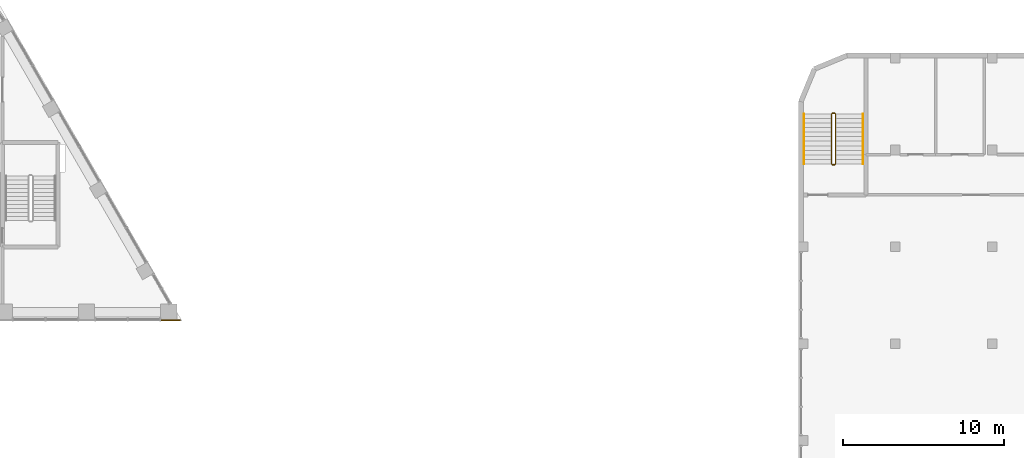
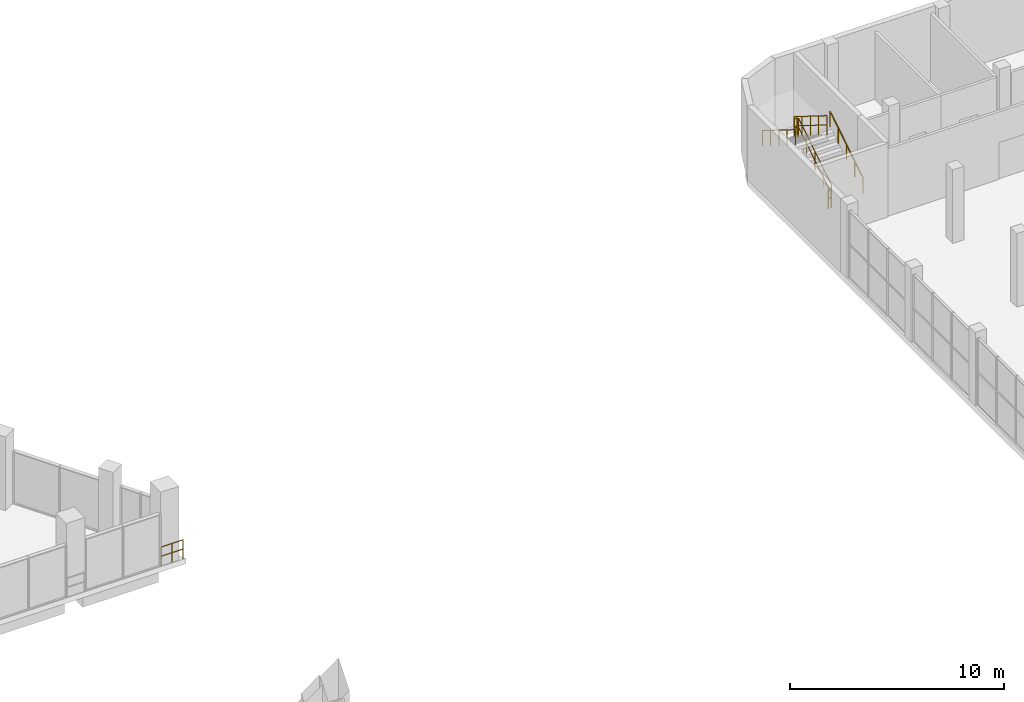
# One storey, part 41 of 45: 7 railings.
"""IFC4 building model written with IfcOpenShell, lengths in metres."""

from ifc_helpers import new_model, si_unit, direction, frame, origin, origin_2d, place, context, subcontext, project, spatial, circle, extrude, material, type_object, element, save


model = new_model("IFC4")

# Units and contexts
model_context = context("Model", 3, precision=1e-05, world=origin(), true_north=direction((0.0, 1.0)))
body_context = subcontext(model_context, "Body", "Model", "MODEL_VIEW")
ifc_project = project(units=[si_unit("LENGTHUNIT", "METRE"), si_unit("AREAUNIT", "SQUARE_METRE"), si_unit("VOLUMEUNIT", "CUBIC_METRE"), si_unit("PLANEANGLEUNIT", "RADIAN"), si_unit("MASSUNIT", "GRAM", prefix="KILO")], contexts=[model_context])

# Site, building, storey
site_placement = place(None, origin())
site = spatial("IfcSite", under=ifc_project, at=site_placement, CompositionType="ELEMENT")
building_placement = place(site_placement, origin())
building = spatial("IfcBuilding", under=site, at=building_placement, Name="Nakaniwa Court", CompositionType="ELEMENT")
storey_placement = place(building_placement, frame((0.0, 0.0, 11.39990234375)))
storey = spatial("IfcBuildingStorey", under=building, at=storey_placement, Name="L02", CompositionType="ELEMENT", Elevation=11.39990234375)

# Railings
ifc_material_1 = material(Name="Black powder-coated steel flat bar balustrade S275", Category="steel")
railing_type_1 = type_object("IfcRailingType", Name="Hall guard 1100", PredefinedType="GUARDRAIL", material=ifc_material_1)
railing_1_placement = place(storey_placement, frame((154.300048828125, 97.139892578125, 0.175048828125)))
element("IfcRailing", 1, at=railing_1_placement, inside=storey, type_object=railing_type_1, Name="L02 ST-H2 stair guard 1", PredefinedType="GUARDRAIL", context=body_context, shape_type="SweptSolid", body=[
    extrude(circle(Radius=0.02392578125, at=origin_2d()), frame((0.0, 0.0, 1.076171875), z_axis=(0.0, 0.847998304005, 0.529998940003), x_axis=(-1.0, 0.0, 0.0)), (0.0, 0.0, 1.0), 3.632080078125),
    extrude(circle(Radius=0.02392578125, at=origin_2d()), frame((0.0, 0.0, 0.550048828125), z_axis=(0.0, 0.847998304005, 0.529998940003), x_axis=(-1.0, 0.0, 0.0)), (0.0, 0.0, 1.0), 3.632080078125),
    extrude(circle(Radius=0.02099609375, at=origin_2d()), origin(), (0.0, 0.0, 1.0), 1.052001953125),
    extrude(circle(Radius=0.02099609375, at=origin_2d()), frame((0.0, 0.77001953125, 0.481201171875)), (0.0, 0.0, 1.0), 1.052001953125),
    extrude(circle(Radius=0.02099609375, at=origin_2d()), frame((0.0, 1.5400390625, 0.96240234375)), (0.0, 0.0, 1.0), 1.052001953125),
    extrude(circle(Radius=0.02099609375, at=origin_2d()), frame((0.0, 2.31005859375, 1.44384765625)), (0.0, 0.0, 1.0), 1.052001953125),
    extrude(circle(Radius=0.02099609375, at=origin_2d()), frame((0.0, 3.080078125, 1.925048828125)), (0.0, 0.0, 1.0), 1.052001953125),
])
railing_2_placement = place(storey_placement, frame((154.25, 100.27001953125, 2.10009765625)))
element("IfcRailing", 2, at=railing_2_placement, inside=storey, type_object=railing_type_1, Name="L02 ST-H2 stair guard 2", PredefinedType="GUARDRAIL", context=body_context, shape_type="SweptSolid", body=[
    extrude(circle(Radius=0.02392578125, at=origin_2d()), frame((0.0, 0.0, 1.076171875), z_axis=(-1.0, 0.0, 0.0), x_axis=(0.0, -1.0, 0.0)), (0.0, 0.0, 1.0), 0.14990234375),
    extrude(circle(Radius=0.02392578125, at=origin_2d()), frame((0.0, 0.0, 0.550048828125), z_axis=(-1.0, 0.0, 0.0), x_axis=(0.0, -1.0, 0.0)), (0.0, 0.0, 1.0), 0.14990234375),
    extrude(circle(Radius=0.02099609375, at=origin_2d()), origin(), (0.0, 0.0, 1.0), 1.052001953125),
    extrude(circle(Radius=0.02099609375, at=origin_2d()), frame((-0.14990234375, 0.0, 0.0)), (0.0, 0.0, 1.0), 1.052001953125),
])
railing_3_placement = place(storey_placement, frame((154.050048828125, 100.219970703125, 2.275146484375)))
element("IfcRailing", 3, at=railing_3_placement, inside=storey, type_object=railing_type_1, Name="L02 ST-H2 stair guard 3", PredefinedType="GUARDRAIL", context=body_context, shape_type="SweptSolid", body=[
    extrude(circle(Radius=0.02392578125, at=origin_2d()), frame((0.0, 0.0, 1.076171875), z_axis=(0.0, -0.847998304005, 0.529998940003), x_axis=(1.0, 0.0, 0.0)), (0.0, 0.0, 1.0), 3.632080078125),
    extrude(circle(Radius=0.02392578125, at=origin_2d()), frame((0.0, 0.0, 0.550048828125), z_axis=(0.0, -0.847998304005, 0.529998940003), x_axis=(1.0, 0.0, 0.0)), (0.0, 0.0, 1.0), 3.632080078125),
    extrude(circle(Radius=0.02099609375, at=origin_2d()), origin(), (0.0, 0.0, 1.0), 1.052001953125),
    extrude(circle(Radius=0.02099609375, at=origin_2d()), frame((0.0, -0.77001953125, 0.481201171875)), (0.0, 0.0, 1.0), 1.052001953125),
    extrude(circle(Radius=0.02099609375, at=origin_2d()), frame((0.0, -1.5400390625, 0.96240234375)), (0.0, 0.0, 1.0), 1.052001953125),
    extrude(circle(Radius=0.02099609375, at=origin_2d()), frame((0.0, -2.31005859375, 1.44384765625)), (0.0, 0.0, 1.0), 1.052001953125),
    extrude(circle(Radius=0.02099609375, at=origin_2d()), frame((0.0, -3.080078125, 1.925048828125)), (0.0, 0.0, 1.0), 1.052001953125),
])
railing_4_placement = place(storey_placement, frame((154.25, 97.090087890625, 0.0)))
element("IfcRailing", 4, at=railing_4_placement, inside=storey, type_object=railing_type_1, Name="L02 ST-H2 stair guard 4", PredefinedType="GUARDRAIL", context=body_context, shape_type="SweptSolid", body=[
    extrude(circle(Radius=0.02392578125, at=origin_2d()), frame((0.0, 0.0, 1.076171875), z_axis=(-1.0, 0.0, 0.0), x_axis=(0.0, -1.0, 0.0)), (0.0, 0.0, 1.0), 0.14990234375),
    extrude(circle(Radius=0.02392578125, at=origin_2d()), frame((0.0, 0.0, 0.550048828125), z_axis=(-1.0, 0.0, 0.0), x_axis=(0.0, -1.0, 0.0)), (0.0, 0.0, 1.0), 0.14990234375),
    extrude(circle(Radius=0.02099609375, at=origin_2d()), origin(), (0.0, 0.0, 1.0), 1.052001953125),
    extrude(circle(Radius=0.02099609375, at=origin_2d()), frame((-0.14990234375, 0.0, 0.0)), (0.0, 0.0, 1.0), 1.052001953125),
])
ifc_material_2 = material(Name="Brushed stainless steel handrail Grade 304", Category="steel")
railing_type_2 = type_object("IfcRailingType", Name="Hall stair handrail 900", PredefinedType="HANDRAIL", material=ifc_material_2)
railing_5_placement = place(storey_placement, frame((156.0, 97.139892578125, 0.175048828125)))
element("IfcRailing", 5, at=railing_5_placement, inside=storey, type_object=railing_type_2, Name="L02 ST-H2 stair handrail 1", PredefinedType="HANDRAIL", context=body_context, shape_type="SweptSolid", body=[
    extrude(circle(Radius=0.02392578125, at=origin_2d()), frame((0.0, 0.0, 0.8759765625), z_axis=(0.0, 0.847998304005, 0.529998940003), x_axis=(-1.0, 0.0, 0.0)), (0.0, 0.0, 1.0), 3.632080078125),
    extrude(circle(Radius=0.02099609375, at=origin_2d()), origin(), (0.0, 0.0, 1.0), 0.851806640625),
    extrude(circle(Radius=0.02099609375, at=origin_2d()), frame((0.0, 0.77001953125, 0.481201171875)), (0.0, 0.0, 1.0), 0.851806640625),
    extrude(circle(Radius=0.02099609375, at=origin_2d()), frame((0.0, 1.5400390625, 0.96240234375)), (0.0, 0.0, 1.0), 0.851806640625),
    extrude(circle(Radius=0.02099609375, at=origin_2d()), frame((0.0, 2.31005859375, 1.44384765625)), (0.0, 0.0, 1.0), 0.851806640625),
    extrude(circle(Radius=0.02099609375, at=origin_2d()), frame((0.0, 3.080078125, 1.925048828125)), (0.0, 0.0, 1.0), 0.851806640625),
])
railing_6_placement = place(storey_placement, frame((152.35009765625, 100.219970703125, 2.275146484375)))
element("IfcRailing", 6, at=railing_6_placement, inside=storey, type_object=railing_type_2, Name="L02 ST-H2 stair handrail 2", PredefinedType="HANDRAIL", context=body_context, shape_type="SweptSolid", body=[
    extrude(circle(Radius=0.02392578125, at=origin_2d()), frame((0.0, 0.0, 0.8759765625), z_axis=(0.0, -0.847998304005, 0.529998940003), x_axis=(1.0, 0.0, 0.0)), (0.0, 0.0, 1.0), 3.632080078125),
    extrude(circle(Radius=0.02099609375, at=origin_2d()), origin(), (0.0, 0.0, 1.0), 0.851806640625),
    extrude(circle(Radius=0.02099609375, at=origin_2d()), frame((0.0, -0.77001953125, 0.481201171875)), (0.0, 0.0, 1.0), 0.851806640625),
    extrude(circle(Radius=0.02099609375, at=origin_2d()), frame((0.0, -1.5400390625, 0.96240234375)), (0.0, 0.0, 1.0), 0.851806640625),
    extrude(circle(Radius=0.02099609375, at=origin_2d()), frame((0.0, -2.31005859375, 1.44384765625)), (0.0, 0.0, 1.0), 0.851806640625),
    extrude(circle(Radius=0.02099609375, at=origin_2d()), frame((0.0, -3.080078125, 1.925048828125)), (0.0, 0.0, 1.0), 0.851806640625),
])
ifc_material_3 = material(Name="Black powder coated steel guard", Category="steel")
railing_type_3 = type_object("IfcRailingType", Name="Stair guard 1100", PredefinedType="GUARDRAIL", material=ifc_material_3)
railing_7_placement = place(storey_placement, frame((113.702880859375, 87.449951171875, 0.0)))
element("IfcRailing", 7, at=railing_7_placement, inside=storey, type_object=railing_type_3, Name="GUARD GD-L02-031", PredefinedType="GUARDRAIL", context=body_context, shape_type="SweptSolid", body=[
    extrude(circle(Radius=0.02392578125, at=origin_2d()), frame((0.0, 0.0, 1.076171875), z_axis=(-1.0, 0.0, 0.0), x_axis=(0.0, -1.0, 0.0)), (0.0, 0.0, 1.0), 1.18896484375),
    extrude(circle(Radius=0.02392578125, at=origin_2d()), frame((0.0, 0.0, 0.550048828125), z_axis=(-1.0, 0.0, 0.0), x_axis=(0.0, -1.0, 0.0)), (0.0, 0.0, 1.0), 1.18896484375),
    extrude(circle(Radius=0.02099609375, at=origin_2d()), origin(), (0.0, 0.0, 1.0), 1.052001953125),
    extrude(circle(Radius=0.02099609375, at=origin_2d()), frame((-0.594482421875, 0.0, 0.0)), (0.0, 0.0, 1.0), 1.052001953125),
    extrude(circle(Radius=0.02099609375, at=origin_2d()), frame((-1.18896484375, 0.0, 0.0)), (0.0, 0.0, 1.0), 1.052001953125),
])

save(model, "model.ifc")
